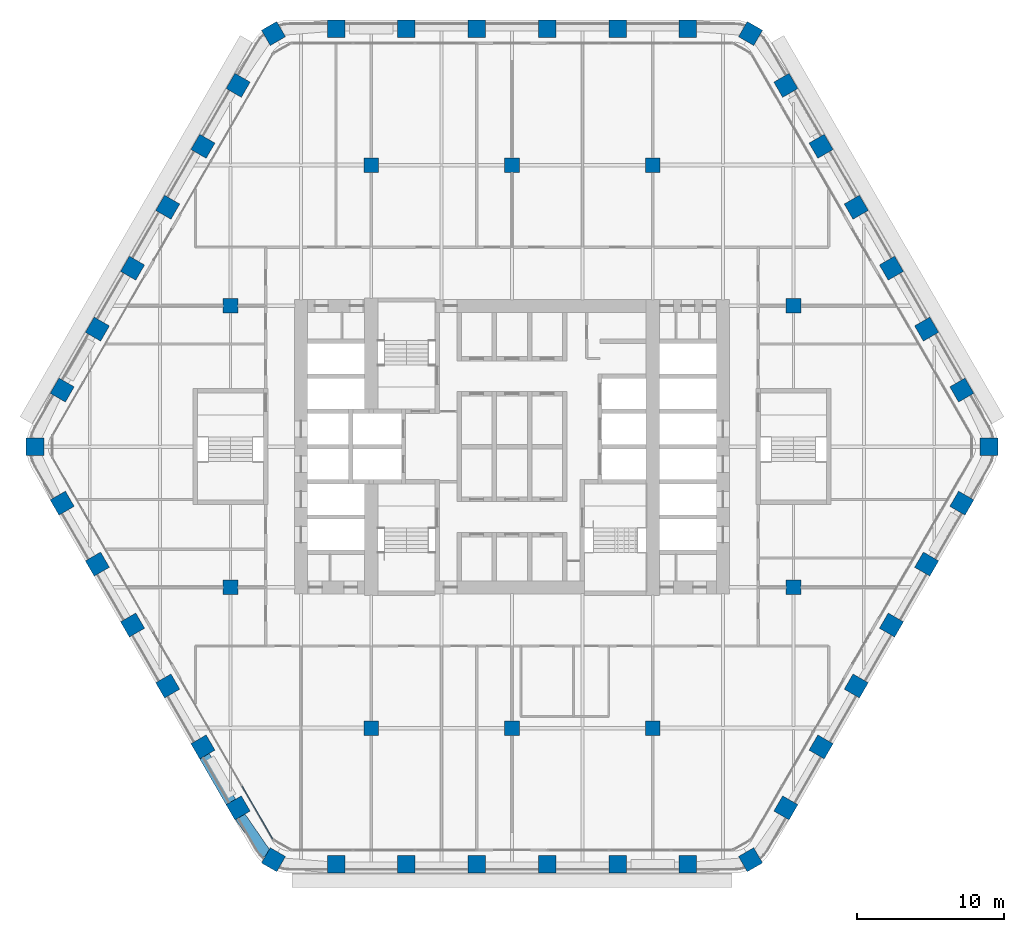
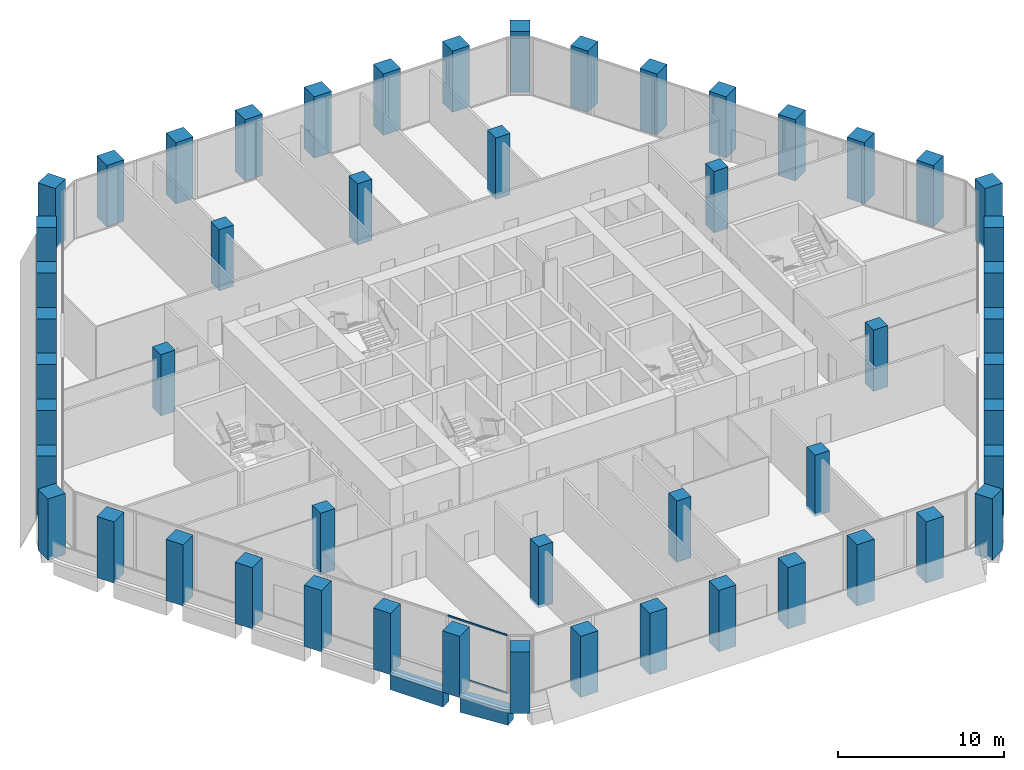
# One storey, part 1 of 23: 52 columns, 2 beams, 2 members, 1 element without a shape of its own.
"""IFC4 building model written with IfcOpenShell, lengths in metres."""

from ifc_helpers import new_model, si_unit, direction, frame, origin, origin_2d, place, context, subcontext, project, spatial, rectangle, extrude, material, material_profile, profile_set, type_object, element, aggregate, save


model = new_model("IFC4")

# Units and contexts
model_context = context("Model", 3, precision=1e-05, world=origin(), true_north=direction((0.0, 1.0)))
body_context = subcontext(model_context, "Body", "Model", "MODEL_VIEW")
ifc_project = project(units=[si_unit("LENGTHUNIT", "METRE"), si_unit("AREAUNIT", "SQUARE_METRE"), si_unit("VOLUMEUNIT", "CUBIC_METRE"), si_unit("PLANEANGLEUNIT", "RADIAN"), si_unit("MASSUNIT", "GRAM", prefix="KILO")], contexts=[model_context])

# Site, building, storey
site_placement = place(None, origin())
site = spatial("IfcSite", under=ifc_project, at=site_placement, CompositionType="ELEMENT")
building_placement = place(site_placement, origin())
building = spatial("IfcBuilding", under=site, at=building_placement, Name="Kolab Exchange Tower", CompositionType="ELEMENT")
storey_placement = place(building_placement, frame((0.0, 0.0, 100.39990234375)))
storey = spatial("IfcBuildingStorey", under=building, at=storey_placement, Name="L19", CompositionType="ELEMENT", Elevation=100.39990234375)

# Columns
ifc_material_1 = material(Name="Concrete C70/85", Category="concrete")
ifc_material_profile_1 = material_profile(ifc_material_1, rectangle(XDim=1.0, YDim=1.0, at=origin_2d()), Name="RC1000")
ifc_profile_set_1 = profile_set([ifc_material_profile_1], Name="Concrete C70/85")
column_type_1 = type_object("IfcColumnType", Name="INTERIOR COLUMN 1000 SQ C70/85", PredefinedType="COLUMN", material=ifc_profile_set_1)
for number, where, z_axis, x_axis, name in (
    (1, (-19.199951171875, -9.60009765625, -0.199951171875), (0.0, 0.0, 1.0), (1.0, 0.0, 0.0), "col/L19/I-I9"),
    (2, (-19.199951171875, 9.60009765625, -0.199951171875), (0.0, 0.0, 1.0), (1.0, 0.0, 0.0), "col/L19/I-I13"),
    (3, (-9.60009765625, -19.199951171875, -0.199951171875), (0.0, 0.0, 1.0), (1.0, 0.0, 0.0), "col/L19/I-K7"),
    (4, (-9.60009765625, 19.199951171875, -0.199951171875), (0.0, 0.0, 1.0), (1.0, 0.0, 0.0), "col/L19/I-K15"),
    (5, (0.0, -19.199951171875, -0.199951171875), (0.0, 0.0, 1.0), (1.0, 0.0, 0.0), "col/L19/I-M7"),
    (6, (0.0, 19.199951171875, -0.199951171875), (0.0, 0.0, 1.0), (1.0, 0.0, 0.0), "col/L19/I-M15"),
    (7, (9.60009765625, -19.199951171875, -0.199951171875), (0.0, 0.0, 1.0), (1.0, 0.0, 0.0), "col/L19/I-O7"),
    (8, (9.60009765625, 19.199951171875, -0.199951171875), (0.0, 0.0, 1.0), (1.0, 0.0, 0.0), "col/L19/I-O15"),
    (9, (19.199951171875, -9.60009765625, -0.199951171875), (0.0, 0.0, 1.0), (1.0, 0.0, 0.0), "col/L19/I-Q9"),
    (10, (19.199951171875, 9.60009765625, -0.199951171875), (0.0, 0.0, 1.0), (1.0, 0.0, 0.0), "col/L19/I-Q13"),
):
    element("IfcColumn", number, at=place(storey_placement, frame(where, z_axis=z_axis, x_axis=x_axis)), inside=storey, type_object=column_type_1, Name=name, PredefinedType="COLUMN", context=body_context, shape_type="SweptSolid", body=[
        extrude(rectangle(XDim=1.0, YDim=1.0, at=origin_2d()), origin(), (0.0, 0.0, 1.0), 4.5),
    ])
ifc_material_profile_2 = material_profile(ifc_material_1, rectangle(XDim=1.199951171875, YDim=1.199951171875, at=origin_2d()), Name="RC1200")
ifc_profile_set_2 = profile_set([ifc_material_profile_2], Name="Concrete C70/85")
column_type_2 = type_object("IfcColumnType", Name="PERIMETER COLUMN 1200 SQ C70/85", PredefinedType="COLUMN", material=ifc_profile_set_2)
for number, where, z_axis, x_axis, name in (
    (11, (-16.26806640625, 28.177001953125, -0.199951171875), (0.0, 0.0, 1.0), (0.866025403784, 0.5, 0.0), "col/L19/F1-01"),
    (12, (-12.0, 28.49853515625, -0.199951171875), (0.0, 0.0, 1.0), (1.0, 0.0, 0.0), "col/L19/F1-02"),
    (13, (-7.199951171875, 28.49853515625, -0.199951171875), (0.0, 0.0, 1.0), (1.0, 0.0, 0.0), "col/L19/F1-03"),
    (14, (-2.39990234375, 28.49853515625, -0.199951171875), (0.0, 0.0, 1.0), (1.0, 0.0, 0.0), "col/L19/F1-04"),
    (15, (2.39990234375, 28.49853515625, -0.199951171875), (0.0, 0.0, 1.0), (1.0, 0.0, 0.0), "col/L19/F1-05"),
    (16, (7.199951171875, 28.49853515625, -0.199951171875), (0.0, 0.0, 1.0), (1.0, 0.0, 0.0), "col/L19/F1-06"),
    (17, (12.0, 28.49853515625, -0.199951171875), (0.0, 0.0, 1.0), (1.0, 0.0, 0.0), "col/L19/F1-07"),
    (18, (16.26806640625, 28.177001953125, -0.199951171875), (0.0, 0.0, 1.0), (0.5, 0.866025403784, 0.0), "col/L19/F2-01"),
    (19, (18.680419921875, 24.6416015625, -0.199951171875), (0.0, 0.0, 1.0), (0.866025403784, 0.5, 0.0), "col/L19/F2-02"),
    (20, (21.080322265625, 20.484619140625, -0.199951171875), (0.0, 0.0, 1.0), (0.866025403784, 0.5, 0.0), "col/L19/F2-03"),
    (21, (23.48046875, 16.32763671875, -0.199951171875), (0.0, 0.0, 1.0), (0.866025403784, 0.5, 0.0), "col/L19/F2-04"),
    (22, (25.88037109375, 12.170654296875, -0.199951171875), (0.0, 0.0, 1.0), (0.866025403784, 0.5, 0.0), "col/L19/F2-05"),
    (23, (28.2802734375, 8.013916015625, -0.199951171875), (0.0, 0.0, 1.0), (0.866025403784, 0.5, 0.0), "col/L19/F2-06"),
    (24, (30.680419921875, 3.85693359375, -0.199951171875), (0.0, 0.0, 1.0), (0.866025403784, 0.5, 0.0), "col/L19/F2-07"),
    (25, (32.535888671875, 0.0, -0.199951171875), (0.0, 0.0, 1.0), (1.0, 0.0, 0.0), "col/L19/F3-01"),
    (26, (30.680419921875, -3.85693359375, -0.199951171875), (0.0, 0.0, 1.0), (0.5, 0.866025403784, 0.0), "col/L19/F3-02"),
    (27, (28.2802734375, -8.013916015625, -0.199951171875), (0.0, 0.0, 1.0), (0.5, 0.866025403784, 0.0), "col/L19/F3-03"),
    (28, (25.88037109375, -12.170654296875, -0.199951171875), (0.0, 0.0, 1.0), (0.5, 0.866025403784, 0.0), "col/L19/F3-04"),
    (29, (23.48046875, -16.32763671875, -0.199951171875), (0.0, 0.0, 1.0), (0.5, 0.866025403784, 0.0), "col/L19/F3-05"),
    (30, (21.080322265625, -20.484619140625, -0.199951171875), (0.0, 0.0, 1.0), (0.5, 0.866025403784, 0.0), "col/L19/F3-06"),
    (31, (18.680419921875, -24.6416015625, -0.199951171875), (0.0, 0.0, 1.0), (0.5, 0.866025403784, 0.0), "col/L19/F3-07"),
    (32, (16.26806640625, -28.177001953125, -0.199951171875), (0.0, 0.0, 1.0), (0.866025403784, 0.5, 0.0), "col/L19/F4-01"),
    (33, (12.0, -28.49853515625, -0.199951171875), (0.0, 0.0, 1.0), (1.0, 0.0, 0.0), "col/L19/F4-02"),
    (34, (7.199951171875, -28.49853515625, -0.199951171875), (0.0, 0.0, 1.0), (1.0, 0.0, 0.0), "col/L19/F4-03"),
    (35, (2.39990234375, -28.49853515625, -0.199951171875), (0.0, 0.0, 1.0), (1.0, 0.0, 0.0), "col/L19/F4-04"),
    (36, (-2.39990234375, -28.49853515625, -0.199951171875), (0.0, 0.0, 1.0), (1.0, 0.0, 0.0), "col/L19/F4-05"),
    (37, (-7.199951171875, -28.49853515625, -0.199951171875), (0.0, 0.0, 1.0), (1.0, 0.0, 0.0), "col/L19/F4-06"),
    (38, (-12.0, -28.49853515625, -0.199951171875), (0.0, 0.0, 1.0), (1.0, 0.0, 0.0), "col/L19/F4-07"),
    (39, (-16.26806640625, -28.177001953125, -0.199951171875), (0.0, 0.0, 1.0), (0.5, 0.866025403784, 0.0), "col/L19/F5-01"),
    (40, (-18.680419921875, -24.6416015625, -0.199951171875), (0.0, 0.0, 1.0), (0.866025403784, 0.5, 0.0), "col/L19/F5-02"),
    (41, (-21.080322265625, -20.484619140625, -0.199951171875), (0.0, 0.0, 1.0), (0.866025403784, 0.5, 0.0), "col/L19/F5-03"),
    (42, (-23.48046875, -16.32763671875, -0.199951171875), (0.0, 0.0, 1.0), (0.866025403784, 0.5, 0.0), "col/L19/F5-04"),
    (43, (-25.88037109375, -12.170654296875, -0.199951171875), (0.0, 0.0, 1.0), (0.866025403784, 0.5, 0.0), "col/L19/F5-05"),
    (44, (-28.2802734375, -8.013916015625, -0.199951171875), (0.0, 0.0, 1.0), (0.866025403784, 0.5, 0.0), "col/L19/F5-06"),
    (45, (-30.680419921875, -3.85693359375, -0.199951171875), (0.0, 0.0, 1.0), (0.866025403784, 0.5, 0.0), "col/L19/F5-07"),
    (46, (-32.535888671875, 0.0, -0.199951171875), (0.0, 0.0, 1.0), (1.0, 0.0, 0.0), "col/L19/F6-01"),
    (47, (-30.680419921875, 3.85693359375, -0.199951171875), (0.0, 0.0, 1.0), (0.5, 0.866025403784, 0.0), "col/L19/F6-02"),
    (48, (-28.2802734375, 8.013916015625, -0.199951171875), (0.0, 0.0, 1.0), (0.5, 0.866025403784, 0.0), "col/L19/F6-03"),
    (49, (-25.88037109375, 12.170654296875, -0.199951171875), (0.0, 0.0, 1.0), (0.5, 0.866025403784, 0.0), "col/L19/F6-04"),
    (50, (-23.48046875, 16.32763671875, -0.199951171875), (0.0, 0.0, 1.0), (0.5, 0.866025403784, 0.0), "col/L19/F6-05"),
    (51, (-21.080322265625, 20.484619140625, -0.199951171875), (0.0, 0.0, 1.0), (0.5, 0.866025403784, 0.0), "col/L19/F6-06"),
    (52, (-18.680419921875, 24.6416015625, -0.199951171875), (0.0, 0.0, 1.0), (0.5, 0.866025403784, 0.0), "col/L19/F6-07"),
):
    element("IfcColumn", number, at=place(storey_placement, frame(where, z_axis=z_axis, x_axis=x_axis)), inside=storey, type_object=column_type_2, Name=name, PredefinedType="COLUMN", context=body_context, shape_type="SweptSolid", body=[
        extrude(rectangle(XDim=1.199951171875, YDim=1.199951171875, at=origin_2d()), origin(), (0.0, 0.0, 1.0), 4.5),
    ])

# Beams
ifc_material_profile_3 = material_profile(ifc_material_1, rectangle(XDim=0.75, YDim=1.10009765625, at=origin_2d()), Name="RC750X1100")
ifc_profile_set_3 = profile_set([ifc_material_profile_3], Name="Concrete C70/85")
beam_type = type_object("IfcBeamType", Name="SPANDREL BEAM 750X1100 C70/85", PredefinedType="BEAM", material=ifc_profile_set_3)
beam_1_placement = place(storey_placement, frame((-16.73486328125, -27.85791015625, -0.75), z_axis=(-0.567661826262, 0.823261836237, 0.0), x_axis=(-0.823261836237, -0.567661826262, 0.0)))
element("IfcBeam", 53, at=beam_1_placement, inside=storey, type_object=beam_type, Name="beam/L19/sp/F5-01", PredefinedType="BEAM", context=body_context, shape_type="SweptSolid", body=[
    extrude(rectangle(XDim=0.75, YDim=1.10009765625, at=origin_2d()), origin(), (0.0, 0.0, 1.0), 3.20849609375),
])
beam_2_placement = place(storey_placement, frame((-19.1552734375, -24.26904296875, -0.75), z_axis=(-0.500013413428, 0.866017659399, 0.0), x_axis=(-0.866017659399, -0.500013413428, 0.0)))
element("IfcBeam", 54, at=beam_2_placement, inside=storey, type_object=beam_type, Name="beam/L19/sp/F5-02", PredefinedType="BEAM", context=body_context, shape_type="SweptSolid", body=[
    extrude(rectangle(XDim=0.75, YDim=1.10009765625, at=origin_2d()), origin(), (0.0, 0.0, 1.0), 3.68017578125),
])

# Curtain wall, members
ifc_material_2 = material(Name="Aluminium EN AW-6063 T6", Category="aluminium")
curtain_wall_type = type_object("IfcCurtainWallType", Name="UNITISED LOWER MID ZONE CURTAIN WALL", PredefinedType="NOTDEFINED", material=ifc_material_2)
curtain_wall_placement = place(storey_placement, origin())
curtain_wall = element("IfcCurtainWall", 55, at=curtain_wall_placement, inside=storey, type_object=curtain_wall_type, Name="cw/L19/F5-1", PredefinedType="NOTDEFINED")
ifc_material_profile_4 = material_profile(ifc_material_2, rectangle(XDim=0.06005859375, YDim=0.1201171875, at=origin_2d()), Name="RECT 60X120")
ifc_profile_set_4 = profile_set([ifc_material_profile_4], Name="Aluminium EN AW-6063 T6")
member_type = type_object("IfcMemberType", Name="UNITISED LOWER MID ZONE TRANSOM 60 X 120", PredefinedType="USERDEFINED", material=ifc_profile_set_4)
member_1_placement = place(storey_placement, frame((-16.32763671875, -26.756591796875, 0.030029296875), z_axis=(-0.500001996123, 0.866024251319, 0.0), x_axis=(-0.866024251319, -0.500001996123, 0.0)))
member_1 = element("IfcMember", 56, at=member_1_placement, type_object=member_type, Name="CW2 transom 1.1", ObjectType="TRANSOM", PredefinedType="USERDEFINED", context=body_context, shape_type="SweptSolid", body=[
    extrude(rectangle(XDim=0.06005859375, YDim=0.1201171875, at=origin_2d()), origin(), (0.0, 0.0, 1.0), 4.1328125),
])
member_2_placement = place(storey_placement, frame((-16.32763671875, -26.756591796875, 4.27001953125), z_axis=(-0.500001996123, 0.866024251319, 0.0), x_axis=(-0.866024251319, -0.500001996123, 0.0)))
member_2 = element("IfcMember", 57, at=member_2_placement, type_object=member_type, Name="CW2 transom 1.2", ObjectType="TRANSOM", PredefinedType="USERDEFINED", context=body_context, shape_type="SweptSolid", body=[
    extrude(rectangle(XDim=0.06005859375, YDim=0.1201171875, at=origin_2d()), origin(), (0.0, 0.0, 1.0), 4.1328125),
])
aggregate(curtain_wall, [member_1, member_2])

save(model, "model.ifc")
